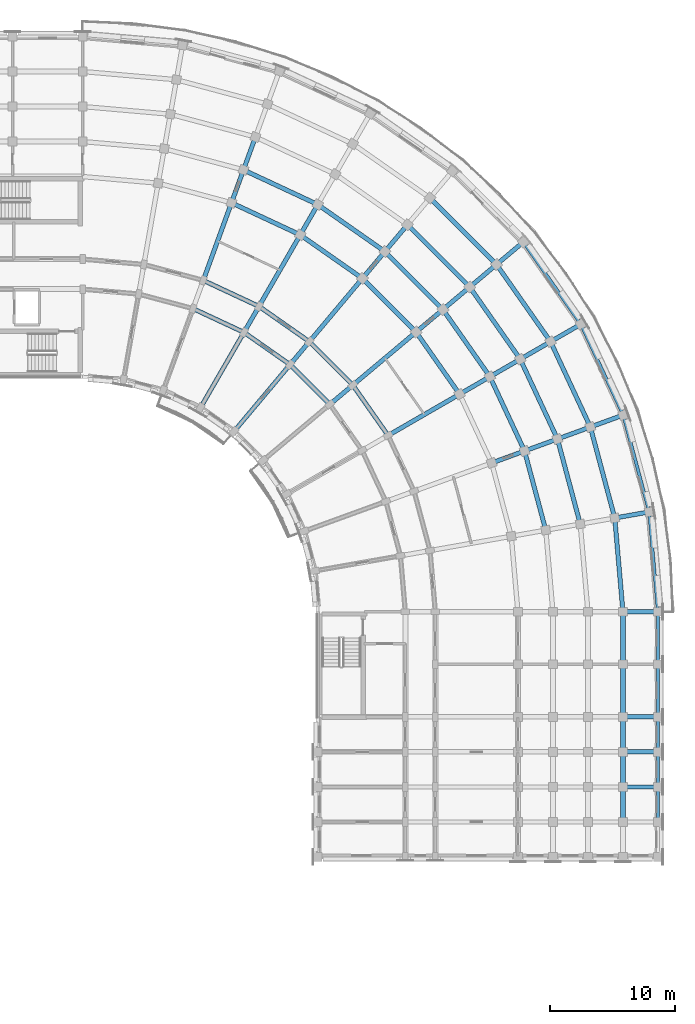
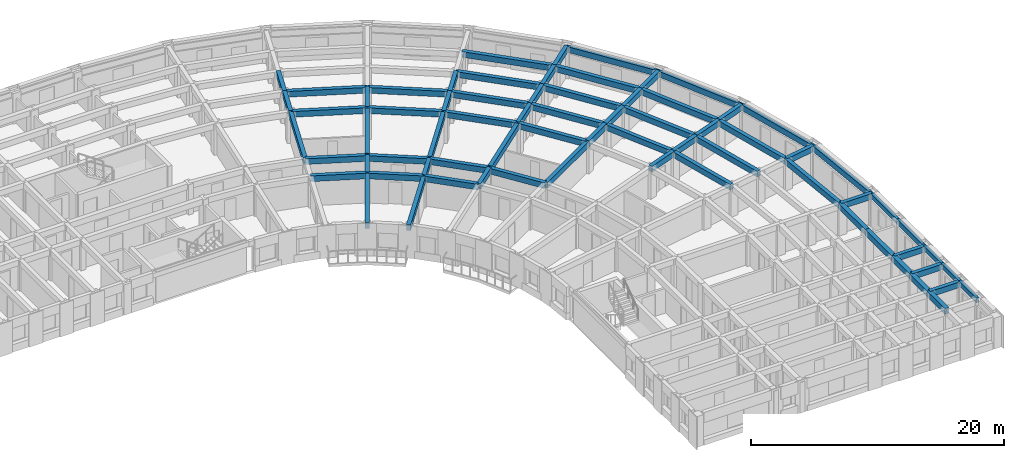
# One storey, part 13 of 57: 72 beams.
"""IFC4 building model written with IfcOpenShell, lengths in metres."""

from ifc_helpers import new_model, si_unit, direction, frame, origin, origin_2d, place, context, subcontext, project, spatial, rectangle, extrude, material, material_profile, profile_set, type_object, element, save


model = new_model("IFC4")

# Units and contexts
model_context = context("Model", 3, precision=1e-05, world=origin(), true_north=direction((0.0, 1.0)))
body_context = subcontext(model_context, "Body", "Model", "MODEL_VIEW")
ifc_project = project(units=[si_unit("LENGTHUNIT", "METRE"), si_unit("AREAUNIT", "SQUARE_METRE"), si_unit("VOLUMEUNIT", "CUBIC_METRE"), si_unit("PLANEANGLEUNIT", "RADIAN"), si_unit("MASSUNIT", "GRAM", prefix="KILO")], contexts=[model_context])

# Site, building, storey
site_placement = place(None, origin())
site = spatial("IfcSite", under=ifc_project, at=site_placement, CompositionType="ELEMENT")
building_placement = place(site_placement, origin())
building = spatial("IfcBuilding", under=site, at=building_placement, Name="Kiranvali Square Residences", CompositionType="ELEMENT")
storey_placement = place(building_placement, frame((0.0, 0.0, 24.449951171875)))
storey = spatial("IfcBuildingStorey", under=building, at=storey_placement, Name="L07", CompositionType="ELEMENT", Elevation=24.449951171875)

# Beams
ifc_material_1 = material(Name="Concrete M40 (40 MPa)", Category="concrete")
ifc_material_profile_1 = material_profile(ifc_material_1, rectangle(XDim=0.35009765625, YDim=0.550048828125, at=origin_2d()), Name="RC 350x550")
ifc_profile_set_1 = profile_set([ifc_material_profile_1], Name="Concrete M40 (40 MPa)")
beam_type_1 = type_object("IfcBeamType", Name="BM-M40-350x550", PredefinedType="BEAM", material=ifc_profile_set_1)
beam_1_placement = place(storey_placement, frame((128.6240234375, 112.044189453125, 2.655029296875), z_axis=(0.906307919131, -0.422617978463, 0.0), x_axis=(0.422617978463, 0.906307919131, 0.0)))
element("IfcBeam", 1, at=beam_1_placement, inside=storey, type_object=beam_type_1, Name="L07 beam BM-B-L07-C02-R1", PredefinedType="BEAM", context=body_context, shape_type="SweptSolid", body=[
    extrude(rectangle(XDim=0.35009765625, YDim=0.550048828125, at=origin_2d()), origin(), (0.0, 0.0, 1.0), 4.497314453125),
])
beam_2_placement = place(storey_placement, frame((129.445068359375, 114.29931640625, 2.655029296875), z_axis=(0.906302381024, -0.422629854778, 0.0), x_axis=(0.422629854778, 0.906302381024, 0.0)))
element("IfcBeam", 2, at=beam_2_placement, inside=storey, type_object=beam_type_1, Name="L07 beam BM-B-L07-C02-R2", PredefinedType="BEAM", context=body_context, shape_type="SweptSolid", body=[
    extrude(rectangle(XDim=0.35009765625, YDim=0.550048828125, at=origin_2d()), origin(), (0.0, 0.0, 1.0), 4.915283203125),
])
beam_3_placement = place(storey_placement, frame((131.702392578125, 120.501220703125, 2.655029296875), z_axis=(0.906312656069, -0.42260781991, 0.0), x_axis=(0.42260781991, 0.906312656069, 0.0)))
element("IfcBeam", 3, at=beam_3_placement, inside=storey, type_object=beam_type_1, Name="L07 beam BM-B-L07-C02-R3", PredefinedType="BEAM", context=body_context, shape_type="SweptSolid", body=[
    extrude(rectangle(XDim=0.35009765625, YDim=0.550048828125, at=origin_2d()), origin(), (0.0, 0.0, 1.0), 6.06591796875),
])
beam_4_placement = place(storey_placement, frame((132.659912109375, 123.13232421875, 2.655029296875), z_axis=(0.906318225223, -0.422595876255, 0.0), x_axis=(0.422595876255, 0.906318225223, 0.0)))
element("IfcBeam", 4, at=beam_4_placement, inside=storey, type_object=beam_type_1, Name="L07 beam BM-B-L07-C02-R4", PredefinedType="BEAM", context=body_context, shape_type="SweptSolid", body=[
    extrude(rectangle(XDim=0.35009765625, YDim=0.550048828125, at=origin_2d()), origin(), (0.0, 0.0, 1.0), 6.55419921875),
])
beam_5_placement = place(storey_placement, frame((132.699951171875, 110.1435546875, 2.655029296875), z_axis=(0.819155404658, -0.573571637217, 0.0), x_axis=(0.573571637217, 0.819155404658, 0.0)))
element("IfcBeam", 5, at=beam_5_placement, inside=storey, type_object=beam_type_1, Name="L07 beam BM-B-L07-C03-R1", PredefinedType="BEAM", context=body_context, shape_type="SweptSolid", body=[
    extrude(rectangle(XDim=0.35009765625, YDim=0.550048828125, at=origin_2d()), origin(), (0.0, 0.0, 1.0), 4.497314453125),
])
beam_6_placement = place(storey_placement, frame((133.89990234375, 112.221923828125, 2.655029296875), z_axis=(0.819140911474, -0.573592335331, 0.0), x_axis=(0.573592335331, 0.819140911474, 0.0)))
element("IfcBeam", 6, at=beam_6_placement, inside=storey, type_object=beam_type_1, Name="L07 beam BM-B-L07-C03-R2", PredefinedType="BEAM", context=body_context, shape_type="SweptSolid", body=[
    extrude(rectangle(XDim=0.35009765625, YDim=0.550048828125, at=origin_2d()), origin(), (0.0, 0.0, 1.0), 4.915771484375),
])
beam_7_placement = place(storey_placement, frame((137.199951171875, 117.937744140625, 2.655029296875), z_axis=(0.81913926159, -0.573594691504, 0.0), x_axis=(0.573594691504, 0.81913926159, 0.0)))
element("IfcBeam", 7, at=beam_7_placement, inside=storey, type_object=beam_type_1, Name="L07 beam BM-B-L07-C03-R3", PredefinedType="BEAM", context=body_context, shape_type="SweptSolid", body=[
    extrude(rectangle(XDim=0.35009765625, YDim=0.550048828125, at=origin_2d()), origin(), (0.0, 0.0, 1.0), 6.066162109375),
])
beam_8_placement = place(storey_placement, frame((138.60009765625, 120.362548828125, 2.655029296875), z_axis=(0.819144409176, -0.573587340268, 0.0), x_axis=(0.573587340268, 0.819144409176, 0.0)))
element("IfcBeam", 8, at=beam_8_placement, inside=storey, type_object=beam_type_1, Name="L07 beam BM-B-L07-C03-R4", PredefinedType="BEAM", context=body_context, shape_type="SweptSolid", body=[
    extrude(rectangle(XDim=0.35009765625, YDim=0.550048828125, at=origin_2d()), origin(), (0.0, 0.0, 1.0), 6.553955078125),
])
beam_9_placement = place(storey_placement, frame((136.384033203125, 107.56396484375, 2.655029296875), z_axis=(0.707106781187, -0.707106781187, 0.0), x_axis=(0.707106781187, 0.707106781187, 0.0)))
element("IfcBeam", 9, at=beam_9_placement, inside=storey, type_object=beam_type_1, Name="L07 beam BM-B-L07-C04-R1", PredefinedType="BEAM", context=body_context, shape_type="SweptSolid", body=[
    extrude(rectangle(XDim=0.35009765625, YDim=0.550048828125, at=origin_2d()), origin(), (0.0, 0.0, 1.0), 4.4970703125),
])
beam_10_placement = place(storey_placement, frame((137.926513671875, 109.40234375, 2.655029296875), z_axis=(0.707106781187, -0.707106781187, 0.0), x_axis=(0.707106781187, 0.707106781187, 0.0)))
element("IfcBeam", 10, at=beam_10_placement, inside=storey, type_object=beam_type_1, Name="L07 beam BM-B-L07-C04-R2", PredefinedType="BEAM", context=body_context, shape_type="SweptSolid", body=[
    extrude(rectangle(XDim=0.35009765625, YDim=0.550048828125, at=origin_2d()), origin(), (0.0, 0.0, 1.0), 4.91552734375),
])
beam_11_placement = place(storey_placement, frame((142.1689453125, 114.458251953125, 2.655029296875), z_axis=(0.707106781187, -0.707106781187, 0.0), x_axis=(0.707106781187, 0.707106781187, 0.0)))
element("IfcBeam", 11, at=beam_11_placement, inside=storey, type_object=beam_type_1, Name="L07 beam BM-B-L07-C04-R3", PredefinedType="BEAM", context=body_context, shape_type="SweptSolid", body=[
    extrude(rectangle(XDim=0.35009765625, YDim=0.550048828125, at=origin_2d()), origin(), (0.0, 0.0, 1.0), 6.06591796875),
])
beam_12_placement = place(storey_placement, frame((143.96875, 116.603271484375, 2.655029296875), z_axis=(0.707106781187, -0.707106781187, 0.0), x_axis=(0.707106781187, 0.707106781187, 0.0)))
element("IfcBeam", 12, at=beam_12_placement, inside=storey, type_object=beam_type_1, Name="L07 beam BM-B-L07-C04-R4", PredefinedType="BEAM", context=body_context, shape_type="SweptSolid", body=[
    extrude(rectangle(XDim=0.35009765625, YDim=0.550048828125, at=origin_2d()), origin(), (0.0, 0.0, 1.0), 6.55419921875),
])
beam_13_placement = place(storey_placement, frame((145.7685546875, 118.748291015625, 2.655029296875), z_axis=(0.707106781187, -0.707106781187, 0.0), x_axis=(0.707106781187, 0.707106781187, 0.0)))
element("IfcBeam", 13, at=beam_13_placement, inside=storey, type_object=beam_type_1, Name="L07 beam BM-B-L07-C04-R5", PredefinedType="BEAM", context=body_context, shape_type="SweptSolid", body=[
    extrude(rectangle(XDim=0.35009765625, YDim=0.550048828125, at=origin_2d()), origin(), (0.0, 0.0, 1.0), 7.04248046875),
])
beam_14_placement = place(storey_placement, frame((147.568359375, 120.89306640625, 2.655029296875), z_axis=(0.707106781187, -0.707106781187, 0.0), x_axis=(0.707106781187, 0.707106781187, 0.0)))
element("IfcBeam", 14, at=beam_14_placement, inside=storey, type_object=beam_type_1, Name="L07 beam BM-B-L07-C04-R6", PredefinedType="BEAM", context=body_context, shape_type="SweptSolid", body=[
    extrude(rectangle(XDim=0.35009765625, YDim=0.550048828125, at=origin_2d()), origin(), (0.0, 0.0, 1.0), 7.5302734375),
])
beam_15_placement = place(storey_placement, frame((141.40234375, 105.926513671875, 2.655029296875), z_axis=(0.573592335331, -0.819140911474, 0.0), x_axis=(0.819140911474, 0.573592335331, 0.0)))
element("IfcBeam", 15, at=beam_15_placement, inside=storey, type_object=beam_type_1, Name="L07 beam BM-B-L07-C05-R2", PredefinedType="BEAM", context=body_context, shape_type="SweptSolid", body=[
    extrude(rectangle(XDim=0.35009765625, YDim=0.550048828125, at=origin_2d()), origin(), (0.0, 0.0, 1.0), 4.915771484375),
])
beam_16_placement = place(storey_placement, frame((146.458251953125, 110.1689453125, 2.655029296875), z_axis=(0.573594691504, -0.81913926159, 0.0), x_axis=(0.81913926159, 0.573594691504, 0.0)))
element("IfcBeam", 16, at=beam_16_placement, inside=storey, type_object=beam_type_1, Name="L07 beam BM-B-L07-C05-R3", PredefinedType="BEAM", context=body_context, shape_type="SweptSolid", body=[
    extrude(rectangle(XDim=0.35009765625, YDim=0.550048828125, at=origin_2d()), origin(), (0.0, 0.0, 1.0), 6.066162109375),
])
beam_17_placement = place(storey_placement, frame((148.603271484375, 111.96875, 2.655029296875), z_axis=(0.573587340268, -0.819144409176, 0.0), x_axis=(0.819144409176, 0.573587340268, 0.0)))
element("IfcBeam", 17, at=beam_17_placement, inside=storey, type_object=beam_type_1, Name="L07 beam BM-B-L07-C05-R4", PredefinedType="BEAM", context=body_context, shape_type="SweptSolid", body=[
    extrude(rectangle(XDim=0.35009765625, YDim=0.550048828125, at=origin_2d()), origin(), (0.0, 0.0, 1.0), 6.553955078125),
])
beam_18_placement = place(storey_placement, frame((150.748291015625, 113.7685546875, 2.655029296875), z_axis=(0.57356471828, -0.819160249246, 0.0), x_axis=(0.819160249246, 0.57356471828, 0.0)))
element("IfcBeam", 18, at=beam_18_placement, inside=storey, type_object=beam_type_1, Name="L07 beam BM-B-L07-C05-R5", PredefinedType="BEAM", context=body_context, shape_type="SweptSolid", body=[
    extrude(rectangle(XDim=0.35009765625, YDim=0.550048828125, at=origin_2d()), origin(), (0.0, 0.0, 1.0), 7.0419921875),
])
beam_19_placement = place(storey_placement, frame((152.89306640625, 115.568359375, 2.655029296875), z_axis=(0.573588539275, -0.819143569597, 0.0), x_axis=(0.819143569597, 0.573588539275, 0.0)))
element("IfcBeam", 19, at=beam_19_placement, inside=storey, type_object=beam_type_1, Name="L07 beam BM-B-L07-C05-R6", PredefinedType="BEAM", context=body_context, shape_type="SweptSolid", body=[
    extrude(rectangle(XDim=0.35009765625, YDim=0.550048828125, at=origin_2d()), origin(), (0.0, 0.0, 1.0), 7.5302734375),
])
beam_20_placement = place(storey_placement, frame((152.362548828125, 106.60009765625, 2.655029296875), z_axis=(0.422595876255, -0.906318225223, 0.0), x_axis=(0.906318225223, 0.422595876255, 0.0)))
element("IfcBeam", 20, at=beam_20_placement, inside=storey, type_object=beam_type_1, Name="L07 beam BM-B-L07-C06-R4", PredefinedType="BEAM", context=body_context, shape_type="SweptSolid", body=[
    extrude(rectangle(XDim=0.35009765625, YDim=0.550048828125, at=origin_2d()), origin(), (0.0, 0.0, 1.0), 6.55419921875),
])
beam_21_placement = place(storey_placement, frame((154.787353515625, 108.0, 2.655029296875), z_axis=(0.422640621205, -0.906297360311, 0.0), x_axis=(0.906297360311, 0.422640621205, 0.0)))
element("IfcBeam", 21, at=beam_21_placement, inside=storey, type_object=beam_type_1, Name="L07 beam BM-B-L07-C06-R5", PredefinedType="BEAM", context=body_context, shape_type="SweptSolid", body=[
    extrude(rectangle(XDim=0.35009765625, YDim=0.550048828125, at=origin_2d()), origin(), (0.0, 0.0, 1.0), 7.042236328125),
])
beam_22_placement = place(storey_placement, frame((157.21240234375, 109.39990234375, 2.655029296875), z_axis=(0.422613886933, -0.90630982703, 0.0), x_axis=(0.90630982703, 0.422613886933, 0.0)))
element("IfcBeam", 22, at=beam_22_placement, inside=storey, type_object=beam_type_1, Name="L07 beam BM-B-L07-C06-R6", PredefinedType="BEAM", context=body_context, shape_type="SweptSolid", body=[
    extrude(rectangle(XDim=0.35009765625, YDim=0.550048828125, at=origin_2d()), origin(), (0.0, 0.0, 1.0), 7.5302734375),
])
beam_23_placement = place(storey_placement, frame((155.13232421875, 100.659912109375, 2.655029296875), z_axis=(0.258847178297, -0.965918287583, 0.0), x_axis=(0.965918287583, 0.258847178297, 0.0)))
element("IfcBeam", 23, at=beam_23_placement, inside=storey, type_object=beam_type_1, Name="L07 beam BM-B-L07-C07-R4", PredefinedType="BEAM", context=body_context, shape_type="SweptSolid", body=[
    extrude(rectangle(XDim=0.35009765625, YDim=0.550048828125, at=origin_2d()), origin(), (0.0, 0.0, 1.0), 6.55419921875),
])
beam_24_placement = place(storey_placement, frame((157.763671875, 101.61767578125, 2.655029296875), z_axis=(0.258799624492, -0.965931029817, 0.0), x_axis=(0.965931029817, 0.258799624492, 0.0)))
element("IfcBeam", 24, at=beam_24_placement, inside=storey, type_object=beam_type_1, Name="L07 beam BM-B-L07-C07-R5", PredefinedType="BEAM", context=body_context, shape_type="SweptSolid", body=[
    extrude(rectangle(XDim=0.35009765625, YDim=0.550048828125, at=origin_2d()), origin(), (0.0, 0.0, 1.0), 7.042236328125),
])
beam_25_placement = place(storey_placement, frame((160.394775390625, 102.5751953125, 2.655029296875), z_axis=(0.258818733833, -0.965925909693, 0.0), x_axis=(0.965925909693, 0.258818733833, 0.0)))
element("IfcBeam", 25, at=beam_25_placement, inside=storey, type_object=beam_type_1, Name="L07 beam BM-B-L07-C07-R6", PredefinedType="BEAM", context=body_context, shape_type="SweptSolid", body=[
    extrude(rectangle(XDim=0.35009765625, YDim=0.550048828125, at=origin_2d()), origin(), (0.0, 0.0, 1.0), 7.5302734375),
])
beam_26_placement = place(storey_placement, frame((162.34375, 95.301513671875, 2.655029296875), z_axis=(0.087150058103, -0.996195195417, 0.0), x_axis=(0.996195195417, 0.087150058103, 0.0)))
element("IfcBeam", 26, at=beam_26_placement, inside=storey, type_object=beam_type_1, Name="L07 beam BM-B-L07-C08-R6", PredefinedType="BEAM", context=body_context, shape_type="SweptSolid", body=[
    extrude(rectangle(XDim=0.35009765625, YDim=0.550048828125, at=origin_2d()), origin(), (0.0, 0.0, 1.0), 7.530029296875),
])
beam_27_placement = place(storey_placement, frame((129.445068359375, 114.29931640625, 2.655029296875), z_axis=(0.342022238372, 0.939691858249, 0.0), x_axis=(-0.939691858249, 0.342022238372, 0.0)))
element("IfcBeam", 27, at=beam_27_placement, inside=storey, type_object=beam_type_1, Name="L07 beam BM-B-L07-RAD02-23", PredefinedType="BEAM", context=body_context, shape_type="SweptSolid", body=[
    extrude(rectangle(XDim=0.35009765625, YDim=0.550048828125, at=origin_2d()), origin(), (0.0, 0.0, 1.0), 6.599853515625),
])
beam_28_placement = place(storey_placement, frame((131.702392578125, 120.501220703125, 2.655029296875), z_axis=(0.341981089711, 0.93970683422, 0.0), x_axis=(-0.93970683422, 0.341981089711, 0.0)))
element("IfcBeam", 28, at=beam_28_placement, inside=storey, type_object=beam_type_1, Name="L07 beam BM-B-L07-RAD02-34", PredefinedType="BEAM", context=body_context, shape_type="SweptSolid", body=[
    extrude(rectangle(XDim=0.35009765625, YDim=0.550048828125, at=origin_2d()), origin(), (0.0, 0.0, 1.0), 2.7998046875),
])
beam_29_placement = place(storey_placement, frame((132.659912109375, 123.13232421875, 2.655029296875), z_axis=(0.342030060398, 0.939689011208, 0.0), x_axis=(-0.939689011208, 0.342030060398, 0.0)))
element("IfcBeam", 29, at=beam_29_placement, inside=storey, type_object=beam_type_1, Name="L07 beam BM-B-L07-RAD02-45", PredefinedType="BEAM", context=body_context, shape_type="SweptSolid", body=[
    extrude(rectangle(XDim=0.35009765625, YDim=0.550048828125, at=origin_2d()), origin(), (0.0, 0.0, 1.0), 2.80029296875),
])
beam_30_placement = place(storey_placement, frame((129.199951171875, 104.081298828125, 2.655029296875), z_axis=(0.499995173006, 0.866028190633, 0.0), x_axis=(-0.866028190633, 0.499995173006, 0.0)))
element("IfcBeam", 30, at=beam_30_placement, inside=storey, type_object=beam_type_1, Name="L07 beam BM-B-L07-RAD03-01", PredefinedType="BEAM", context=body_context, shape_type="SweptSolid", body=[
    extrude(rectangle(XDim=0.35009765625, YDim=0.550048828125, at=origin_2d()), origin(), (0.0, 0.0, 1.0), 7.0),
])
beam_31_placement = place(storey_placement, frame((132.699951171875, 110.1435546875, 2.655029296875), z_axis=(0.500001309137, 0.866024647952, 0.0), x_axis=(-0.866024647952, 0.500001309137, 0.0)))
element("IfcBeam", 31, at=beam_31_placement, inside=storey, type_object=beam_type_1, Name="L07 beam BM-B-L07-RAD03-12", PredefinedType="BEAM", context=body_context, shape_type="SweptSolid", body=[
    extrude(rectangle(XDim=0.35009765625, YDim=0.550048828125, at=origin_2d()), origin(), (0.0, 0.0, 1.0), 2.39990234375),
])
beam_32_placement = place(storey_placement, frame((133.89990234375, 112.221923828125, 2.655029296875), z_axis=(0.500002094529, 0.866024194504, 0.0), x_axis=(-0.866024194504, 0.500002094529, 0.0)))
element("IfcBeam", 32, at=beam_32_placement, inside=storey, type_object=beam_type_1, Name="L07 beam BM-B-L07-RAD03-23", PredefinedType="BEAM", context=body_context, shape_type="SweptSolid", body=[
    extrude(rectangle(XDim=0.35009765625, YDim=0.550048828125, at=origin_2d()), origin(), (0.0, 0.0, 1.0), 6.60009765625),
])
beam_33_placement = place(storey_placement, frame((137.199951171875, 117.937744140625, 2.655029296875), z_axis=(0.500049511043, 0.865996816683, 0.0), x_axis=(-0.865996816683, 0.500049511043, 0.0)))
element("IfcBeam", 33, at=beam_33_placement, inside=storey, type_object=beam_type_1, Name="L07 beam BM-B-L07-RAD03-34", PredefinedType="BEAM", context=body_context, shape_type="SweptSolid", body=[
    extrude(rectangle(XDim=0.35009765625, YDim=0.550048828125, at=origin_2d()), origin(), (0.0, 0.0, 1.0), 2.800048828125),
])
beam_34_placement = place(storey_placement, frame((131.884521484375, 102.20166015625, 2.655029296875), z_axis=(0.642787931032, 0.766044173478, 0.0), x_axis=(-0.766044173478, 0.642787931032, 0.0)))
element("IfcBeam", 34, at=beam_34_placement, inside=storey, type_object=beam_type_1, Name="L07 beam BM-B-L07-RAD04-01", PredefinedType="BEAM", context=body_context, shape_type="SweptSolid", body=[
    extrude(rectangle(XDim=0.35009765625, YDim=0.550048828125, at=origin_2d()), origin(), (0.0, 0.0, 1.0), 7.0),
])
beam_35_placement = place(storey_placement, frame((136.384033203125, 107.56396484375, 2.655029296875), z_axis=(0.642762521781, 0.766065493671, 0.0), x_axis=(-0.766065493671, 0.642762521781, 0.0)))
element("IfcBeam", 35, at=beam_35_placement, inside=storey, type_object=beam_type_1, Name="L07 beam BM-B-L07-RAD04-12", PredefinedType="BEAM", context=body_context, shape_type="SweptSolid", body=[
    extrude(rectangle(XDim=0.35009765625, YDim=0.550048828125, at=origin_2d()), origin(), (0.0, 0.0, 1.0), 2.399658203125),
])
beam_36_placement = place(storey_placement, frame((137.926513671875, 109.40234375, 2.655029296875), z_axis=(0.642789470807, 0.766042881449, 0.0), x_axis=(-0.766042881449, 0.642789470807, 0.0)))
element("IfcBeam", 36, at=beam_36_placement, inside=storey, type_object=beam_type_1, Name="L07 beam BM-B-L07-RAD04-23", PredefinedType="BEAM", context=body_context, shape_type="SweptSolid", body=[
    extrude(rectangle(XDim=0.35009765625, YDim=0.550048828125, at=origin_2d()), origin(), (0.0, 0.0, 1.0), 6.60009765625),
])
for number, where, z_axis, x_axis, name in (
    (37, (142.1689453125, 114.458251953125, 2.655029296875), (0.642770757628, 0.766058583359, 0.0), (-0.766058583359, 0.642770757628, 0.0), "L07 beam BM-B-L07-RAD04-34"),
    (38, (143.96875, 116.603271484375, 2.655029296875), (0.642770757628, 0.766058583359, 0.0), (-0.766058583359, 0.642770757628, 0.0), "L07 beam BM-B-L07-RAD04-45"),
):
    element("IfcBeam", number, at=place(storey_placement, frame(where, z_axis=z_axis, x_axis=x_axis)), inside=storey, type_object=beam_type_1, Name=name, PredefinedType="BEAM", context=body_context, shape_type="SweptSolid", body=[
        extrude(rectangle(XDim=0.35009765625, YDim=0.550048828125, at=origin_2d()), origin(), (0.0, 0.0, 1.0), 2.800048828125),
    ])
beam_37_placement = place(storey_placement, frame((139.56396484375, 104.384033203125, 2.655029296875), z_axis=(0.766065493671, 0.642762521781, 0.0), x_axis=(-0.642762521781, 0.766065493671, 0.0)))
element("IfcBeam", 39, at=beam_37_placement, inside=storey, type_object=beam_type_1, Name="L07 beam BM-B-L07-RAD05-12", PredefinedType="BEAM", context=body_context, shape_type="SweptSolid", body=[
    extrude(rectangle(XDim=0.35009765625, YDim=0.550048828125, at=origin_2d()), origin(), (0.0, 0.0, 1.0), 2.399658203125),
])
beam_38_placement = place(storey_placement, frame((141.40234375, 105.926513671875, 2.655029296875), z_axis=(0.766042881449, 0.642789470807, 0.0), x_axis=(-0.642789470807, 0.766042881449, 0.0)))
element("IfcBeam", 40, at=beam_38_placement, inside=storey, type_object=beam_type_1, Name="L07 beam BM-B-L07-RAD05-23", PredefinedType="BEAM", context=body_context, shape_type="SweptSolid", body=[
    extrude(rectangle(XDim=0.35009765625, YDim=0.550048828125, at=origin_2d()), origin(), (0.0, 0.0, 1.0), 6.60009765625),
])
for number, where, z_axis, x_axis, name in (
    (41, (146.458251953125, 110.1689453125, 2.655029296875), (0.766058583359, 0.642770757628, 0.0), (-0.642770757628, 0.766058583359, 0.0), "L07 beam BM-B-L07-RAD05-34"),
    (42, (148.603271484375, 111.96875, 2.655029296875), (0.766058583359, 0.642770757628, 0.0), (-0.642770757628, 0.766058583359, 0.0), "L07 beam BM-B-L07-RAD05-45"),
):
    element("IfcBeam", number, at=place(storey_placement, frame(where, z_axis=z_axis, x_axis=x_axis)), inside=storey, type_object=beam_type_1, Name=name, PredefinedType="BEAM", context=body_context, shape_type="SweptSolid", body=[
        extrude(rectangle(XDim=0.35009765625, YDim=0.550048828125, at=origin_2d()), origin(), (0.0, 0.0, 1.0), 2.800048828125),
    ])
beam_39_placement = place(storey_placement, frame((150.748291015625, 113.7685546875, 2.655029296875), z_axis=(0.76602255649, 0.642813692253, 0.0), x_axis=(-0.642813692253, 0.76602255649, 0.0)))
element("IfcBeam", 43, at=beam_39_placement, inside=storey, type_object=beam_type_1, Name="L07 beam BM-B-L07-RAD05-56", PredefinedType="BEAM", context=body_context, shape_type="SweptSolid", body=[
    extrude(rectangle(XDim=0.35009765625, YDim=0.550048828125, at=origin_2d()), origin(), (0.0, 0.0, 1.0), 2.7998046875),
])
beam_40_placement = place(storey_placement, frame((152.89306640625, 115.568359375, 2.655029296875), z_axis=(0.766058583359, 0.642770757628, 0.0), x_axis=(-0.642770757628, 0.766058583359, 0.0)))
element("IfcBeam", 44, at=beam_40_placement, inside=storey, type_object=beam_type_1, Name="L07 beam BM-B-L07-RAD05-67", PredefinedType="BEAM", context=body_context, shape_type="SweptSolid", body=[
    extrude(rectangle(XDim=0.35009765625, YDim=0.550048828125, at=origin_2d()), origin(), (0.0, 0.0, 1.0), 2.800048828125),
])
beam_41_placement = place(storey_placement, frame((144.221923828125, 101.89990234375, 2.655029296875), z_axis=(0.866024194504, 0.500002094529, 0.0), x_axis=(-0.500002094529, 0.866024194504, 0.0)))
element("IfcBeam", 45, at=beam_41_placement, inside=storey, type_object=beam_type_1, Name="L07 beam BM-B-L07-RAD06-23", PredefinedType="BEAM", context=body_context, shape_type="SweptSolid", body=[
    extrude(rectangle(XDim=0.35009765625, YDim=0.550048828125, at=origin_2d()), origin(), (0.0, 0.0, 1.0), 6.60009765625),
])
beam_42_placement = place(storey_placement, frame((149.937744140625, 105.199951171875, 2.655029296875), z_axis=(0.865996816683, 0.500049511043, 0.0), x_axis=(-0.500049511043, 0.865996816683, 0.0)))
element("IfcBeam", 46, at=beam_42_placement, inside=storey, type_object=beam_type_1, Name="L07 beam BM-B-L07-RAD06-34", PredefinedType="BEAM", context=body_context, shape_type="SweptSolid", body=[
    extrude(rectangle(XDim=0.35009765625, YDim=0.550048828125, at=origin_2d()), origin(), (0.0, 0.0, 1.0), 2.800048828125),
])
beam_43_placement = place(storey_placement, frame((152.362548828125, 106.60009765625, 2.655029296875), z_axis=(0.866034573852, 0.49998411664, 0.0), x_axis=(-0.49998411664, 0.866034573852, 0.0)))
element("IfcBeam", 47, at=beam_43_placement, inside=storey, type_object=beam_type_1, Name="L07 beam BM-B-L07-RAD06-45", PredefinedType="BEAM", context=body_context, shape_type="SweptSolid", body=[
    extrude(rectangle(XDim=0.35009765625, YDim=0.550048828125, at=origin_2d()), origin(), (0.0, 0.0, 1.0), 2.7998046875),
])
for number, where, z_axis, x_axis, name in (
    (48, (154.787353515625, 108.0, 2.655029296875), (0.866056369097, 0.49994636267, 0.0), (-0.49994636267, 0.866056369097, 0.0), "L07 beam BM-B-L07-RAD06-56"),
    (49, (157.21240234375, 109.39990234375, 2.655029296875), (0.865996816683, 0.500049511043, 0.0), (-0.500049511043, 0.865996816683, 0.0), "L07 beam BM-B-L07-RAD06-67"),
):
    element("IfcBeam", number, at=place(storey_placement, frame(where, z_axis=z_axis, x_axis=x_axis)), inside=storey, type_object=beam_type_1, Name=name, PredefinedType="BEAM", context=body_context, shape_type="SweptSolid", body=[
        extrude(rectangle(XDim=0.35009765625, YDim=0.550048828125, at=origin_2d()), origin(), (0.0, 0.0, 1.0), 2.800048828125),
    ])
beam_44_placement = place(storey_placement, frame((152.501220703125, 99.702392578125, 2.655029296875), z_axis=(0.93970683422, 0.341981089711, 0.0), x_axis=(-0.341981089711, 0.93970683422, 0.0)))
element("IfcBeam", 50, at=beam_44_placement, inside=storey, type_object=beam_type_1, Name="L07 beam BM-B-L07-RAD07-34", PredefinedType="BEAM", context=body_context, shape_type="SweptSolid", body=[
    extrude(rectangle(XDim=0.35009765625, YDim=0.550048828125, at=origin_2d()), origin(), (0.0, 0.0, 1.0), 2.7998046875),
])
beam_45_placement = place(storey_placement, frame((155.13232421875, 100.659912109375, 2.655029296875), z_axis=(0.939689011208, 0.342030060398, 0.0), x_axis=(-0.342030060398, 0.939689011208, 0.0)))
element("IfcBeam", 51, at=beam_45_placement, inside=storey, type_object=beam_type_1, Name="L07 beam BM-B-L07-RAD07-45", PredefinedType="BEAM", context=body_context, shape_type="SweptSolid", body=[
    extrude(rectangle(XDim=0.35009765625, YDim=0.550048828125, at=origin_2d()), origin(), (0.0, 0.0, 1.0), 2.80029296875),
])
beam_46_placement = place(storey_placement, frame((157.763671875, 101.61767578125, 2.655029296875), z_axis=(0.93970683422, 0.341981089711, 0.0), x_axis=(-0.341981089711, 0.93970683422, 0.0)))
element("IfcBeam", 52, at=beam_46_placement, inside=storey, type_object=beam_type_1, Name="L07 beam BM-B-L07-RAD07-56", PredefinedType="BEAM", context=body_context, shape_type="SweptSolid", body=[
    extrude(rectangle(XDim=0.35009765625, YDim=0.550048828125, at=origin_2d()), origin(), (0.0, 0.0, 1.0), 2.7998046875),
])
beam_47_placement = place(storey_placement, frame((160.394775390625, 102.5751953125, 2.655029296875), z_axis=(0.939678810556, 0.342058084236, 0.0), x_axis=(-0.342058084236, 0.939678810556, 0.0)))
element("IfcBeam", 53, at=beam_47_placement, inside=storey, type_object=beam_type_1, Name="L07 beam BM-B-L07-RAD07-67", PredefinedType="BEAM", context=body_context, shape_type="SweptSolid", body=[
    extrude(rectangle(XDim=0.35009765625, YDim=0.550048828125, at=origin_2d()), origin(), (0.0, 0.0, 1.0), 2.800048828125),
])
beam_48_placement = place(storey_placement, frame((162.34375, 95.301513671875, 2.655029296875), z_axis=(0.984799355489, 0.173695795656, 0.0), x_axis=(-0.173695795656, 0.984799355489, 0.0)))
element("IfcBeam", 54, at=beam_48_placement, inside=storey, type_object=beam_type_1, Name="L07 beam BM-B-L07-RAD08-67", PredefinedType="BEAM", context=body_context, shape_type="SweptSolid", body=[
    extrude(rectangle(XDim=0.35009765625, YDim=0.550048828125, at=origin_2d()), origin(), (0.0, 0.0, 1.0), 2.7998046875),
])
for number, where, z_axis, x_axis, name in (
    (55, (163.0, 87.800048828125, 2.655029296875), (1.0, 0.0, 0.0), (0.0, 1.0, 0.0), "L07 beam BM-B-L07-A2T0-67"),
    (56, (163.0, 79.39990234375, 2.655029296875), (1.0, 0.0, 0.0), (0.0, 1.0, 0.0), "L07 beam BM-B-L07-A2T1-67"),
    (57, (163.0, 76.60009765625, 2.655029296875), (1.0, 0.0, 0.0), (0.0, 1.0, 0.0), "L07 beam BM-B-L07-A2T2-67"),
    (58, (163.0, 73.800048828125, 2.655029296875), (1.0, 0.0, 0.0), (0.0, 1.0, 0.0), "L07 beam BM-B-L07-A2T3-67"),
):
    element("IfcBeam", number, at=place(storey_placement, frame(where, z_axis=z_axis, x_axis=x_axis)), inside=storey, type_object=beam_type_1, Name=name, PredefinedType="BEAM", context=body_context, shape_type="SweptSolid", body=[
        extrude(rectangle(XDim=0.35009765625, YDim=0.550048828125, at=origin_2d()), origin(), (0.0, 0.0, 1.0), 2.800048828125),
    ])
ifc_material_2 = material(Name="Concrete M45 (45 MPa)", Category="concrete")
ifc_material_profile_2 = material_profile(ifc_material_2, rectangle(XDim=0.39990234375, YDim=0.550048828125, at=origin_2d()), Name="RC 400x550")
ifc_profile_set_2 = profile_set([ifc_material_profile_2], Name="Concrete M45 (45 MPa)")
beam_type_2 = type_object("IfcBeamType", Name="BM-M45-400x550", PredefinedType="BEAM", material=ifc_profile_set_2)
beam_49_placement = place(storey_placement, frame((163.0, 87.800048828125, 2.655029296875), z_axis=(0.0, -1.0, 0.0), x_axis=(1.0, 0.0, 0.0)))
element("IfcBeam", 59, at=beam_49_placement, inside=storey, type_object=beam_type_2, Name="L07 beam BM-B-L07-A2V0-R6", PredefinedType="BEAM", context=body_context, shape_type="SweptSolid", body=[
    extrude(rectangle(XDim=0.39990234375, YDim=0.550048828125, at=origin_2d()), origin(), (0.0, 0.0, 1.0), 4.199951171875),
])
beam_50_placement = place(storey_placement, frame((163.0, 83.60009765625, 2.655029296875), z_axis=(0.0, -1.0, 0.0), x_axis=(1.0, 0.0, 0.0)))
element("IfcBeam", 60, at=beam_50_placement, inside=storey, type_object=beam_type_2, Name="L07 beam BM-B-L07-A2V1-R6", PredefinedType="BEAM", context=body_context, shape_type="SweptSolid", body=[
    extrude(rectangle(XDim=0.39990234375, YDim=0.550048828125, at=origin_2d()), origin(), (0.0, 0.0, 1.0), 4.2001953125),
])
beam_51_placement = place(storey_placement, frame((163.0, 79.39990234375, 2.655029296875), z_axis=(0.0, -1.0, 0.0), x_axis=(1.0, 0.0, 0.0)))
element("IfcBeam", 61, at=beam_51_placement, inside=storey, type_object=beam_type_2, Name="L07 beam BM-B-L07-A2V2-R6", PredefinedType="BEAM", context=body_context, shape_type="SweptSolid", body=[
    extrude(rectangle(XDim=0.39990234375, YDim=0.550048828125, at=origin_2d()), origin(), (0.0, 0.0, 1.0), 2.7998046875),
])
for number, where, z_axis, x_axis, name in (
    (62, (163.0, 76.60009765625, 2.655029296875), (0.0, -1.0, 0.0), (1.0, 0.0, 0.0), "L07 beam BM-B-L07-A2V3-R6"),
    (63, (163.0, 73.800048828125, 2.655029296875), (0.0, -1.0, 0.0), (1.0, 0.0, 0.0), "L07 beam BM-B-L07-A2V4-R6"),
):
    element("IfcBeam", number, at=place(storey_placement, frame(where, z_axis=z_axis, x_axis=x_axis)), inside=storey, type_object=beam_type_2, Name=name, PredefinedType="BEAM", context=body_context, shape_type="SweptSolid", body=[
        extrude(rectangle(XDim=0.39990234375, YDim=0.550048828125, at=origin_2d()), origin(), (0.0, 0.0, 1.0), 2.800048828125),
    ])
ifc_material_profile_3 = material_profile(ifc_material_1, rectangle(XDim=0.25, YDim=0.449951171875, at=origin_2d()), Name="RC 250x450")
ifc_profile_set_3 = profile_set([ifc_material_profile_3], Name="Concrete M40 (40 MPa)")
beam_type_3 = type_object("IfcBeamType", Name="SPN-M40-250x450", PredefinedType="SPANDREL", material=ifc_profile_set_3)
beam_52_placement = place(storey_placement, frame((165.800048828125, 87.800048828125, 2.705078125), z_axis=(0.0, -1.0, 0.0), x_axis=(1.0, 0.0, 0.0)))
element("IfcBeam", 64, at=beam_52_placement, inside=storey, type_object=beam_type_3, Name="L07 beam BM-B-L07-A2V0-R7", PredefinedType="SPANDREL", context=body_context, shape_type="SweptSolid", body=[
    extrude(rectangle(XDim=0.25, YDim=0.449951171875, at=origin_2d()), origin(), (0.0, 0.0, 1.0), 4.199951171875),
])
beam_53_placement = place(storey_placement, frame((165.800048828125, 83.60009765625, 2.705078125), z_axis=(0.0, -1.0, 0.0), x_axis=(1.0, 0.0, 0.0)))
element("IfcBeam", 65, at=beam_53_placement, inside=storey, type_object=beam_type_3, Name="L07 beam BM-B-L07-A2V1-R7", PredefinedType="SPANDREL", context=body_context, shape_type="SweptSolid", body=[
    extrude(rectangle(XDim=0.25, YDim=0.449951171875, at=origin_2d()), origin(), (0.0, 0.0, 1.0), 4.2001953125),
])
beam_54_placement = place(storey_placement, frame((165.800048828125, 79.39990234375, 2.705078125), z_axis=(0.0, -1.0, 0.0), x_axis=(1.0, 0.0, 0.0)))
element("IfcBeam", 66, at=beam_54_placement, inside=storey, type_object=beam_type_3, Name="L07 beam BM-B-L07-A2V2-R7", PredefinedType="SPANDREL", context=body_context, shape_type="SweptSolid", body=[
    extrude(rectangle(XDim=0.25, YDim=0.449951171875, at=origin_2d()), origin(), (0.0, 0.0, 1.0), 2.7998046875),
])
for number, where, z_axis, x_axis, name in (
    (67, (165.800048828125, 76.60009765625, 2.705078125), (0.0, -1.0, 0.0), (1.0, 0.0, 0.0), "L07 beam BM-B-L07-A2V3-R7"),
    (68, (165.800048828125, 73.800048828125, 2.705078125), (0.0, -1.0, 0.0), (1.0, 0.0, 0.0), "L07 beam BM-B-L07-A2V4-R7"),
):
    element("IfcBeam", number, at=place(storey_placement, frame(where, z_axis=z_axis, x_axis=x_axis)), inside=storey, type_object=beam_type_3, Name=name, PredefinedType="SPANDREL", context=body_context, shape_type="SweptSolid", body=[
        extrude(rectangle(XDim=0.25, YDim=0.449951171875, at=origin_2d()), origin(), (0.0, 0.0, 1.0), 2.800048828125),
    ])
ifc_material_profile_4 = material_profile(ifc_material_1, rectangle(XDim=0.25, YDim=0.550048828125, at=origin_2d()), Name="RC 250x550")
ifc_profile_set_4 = profile_set([ifc_material_profile_4], Name="Concrete M40 (40 MPa)")
beam_type_4 = type_object("IfcBeamType", Name="SPN-M40-250x550", PredefinedType="SPANDREL", material=ifc_profile_set_4)
for number, where, z_axis, x_axis, name in (
    (69, (155.0380859375, 117.3681640625, 2.655029296875), (0.573582904791, -0.819147515001, 0.0), (0.819147515001, 0.573582904791, 0.0), "L07 beam BM-B-L07-C05-R7"),
    (70, (159.63720703125, 110.800048828125, 2.655029296875), (0.422615416827, -0.906309113636, 0.0), (0.906309113636, 0.422615416827, 0.0), "L07 beam BM-B-L07-C06-R7"),
    (71, (163.02587890625, 103.532958984375, 2.655029296875), (0.258807108475, -0.96592902462, 0.0), (0.96592902462, 0.258807108475, 0.0), "L07 beam BM-B-L07-C07-R7"),
    (72, (165.10107421875, 95.787841796875, 2.655029296875), (0.087172238171, -0.996193254792, 0.0), (0.996193254792, 0.087172238171, 0.0), "L07 beam BM-B-L07-C08-R7"),
):
    element("IfcBeam", number, at=place(storey_placement, frame(where, z_axis=z_axis, x_axis=x_axis)), inside=storey, type_object=beam_type_4, Name=name, PredefinedType="SPANDREL", context=body_context, shape_type="SweptSolid", body=[
        extrude(rectangle(XDim=0.25, YDim=0.550048828125, at=origin_2d()), origin(), (0.0, 0.0, 1.0), 8.018310546875),
    ])

save(model, "model.ifc")
